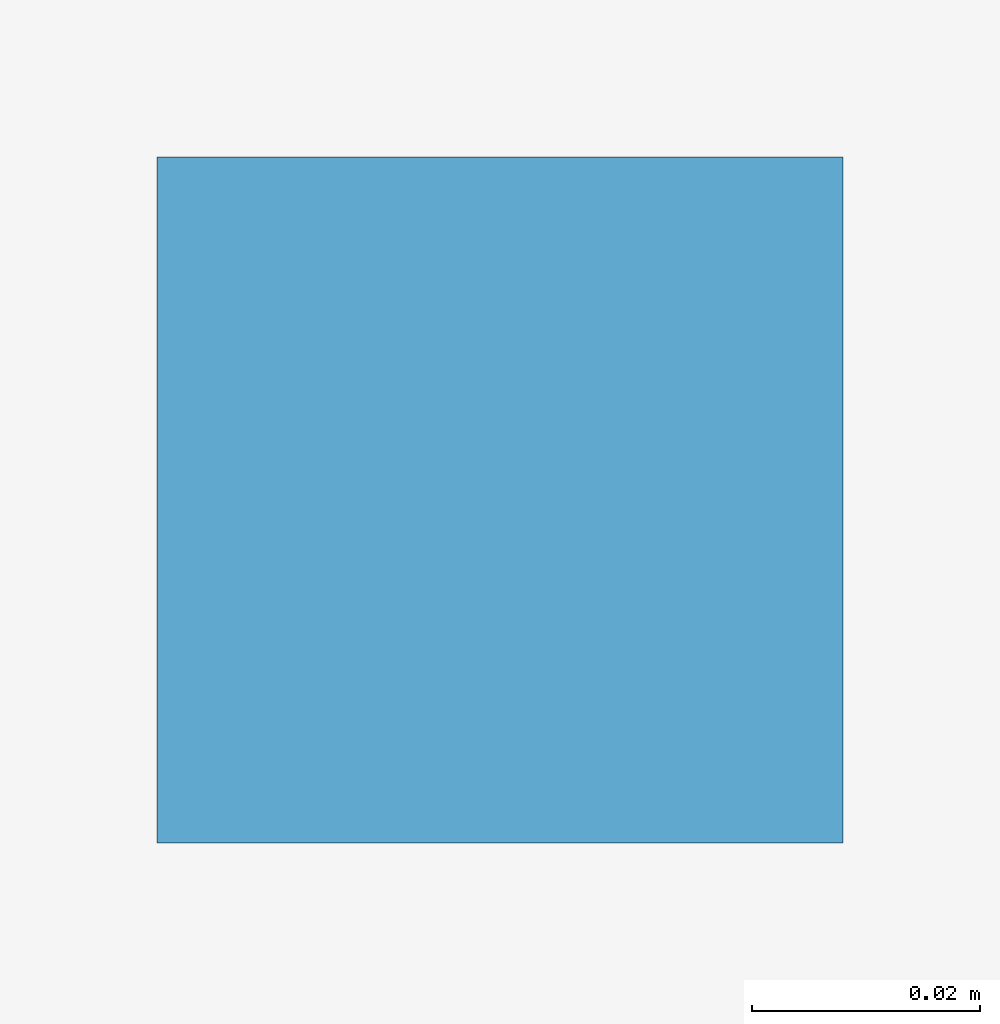
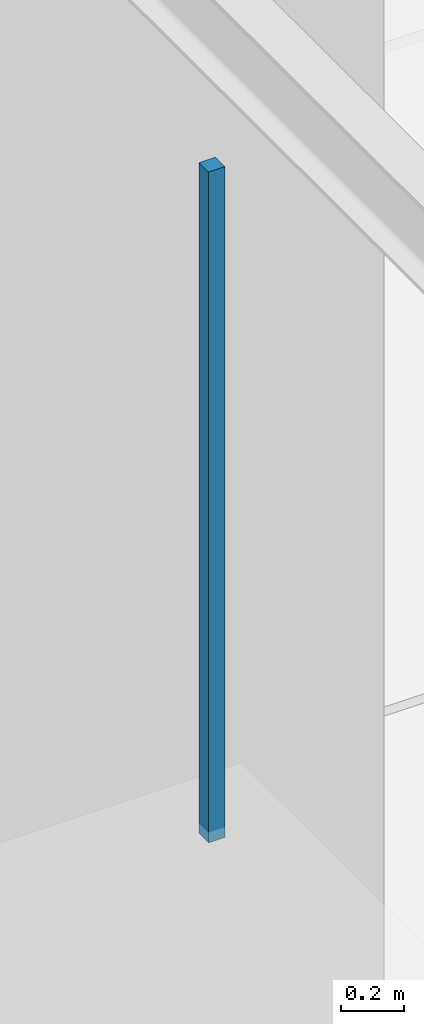
# One storey, part 94 of 129: 1 discrete accessory.
"""IFC4 building model written with IfcOpenShell, lengths in metres."""

from ifc_helpers import new_model, si_unit, direction, frame, origin, origin_2d, place, context, subcontext, project, spatial, rectangle, extrude, material, type_object, element, save


model = new_model("IFC4")

# Units and contexts
model_context = context("Model", 3, precision=1e-05, world=origin(), true_north=direction((0.0, 1.0)))
body_context = subcontext(model_context, "Body", "Model", "MODEL_VIEW")
ifc_project = project(units=[si_unit("LENGTHUNIT", "METRE"), si_unit("AREAUNIT", "SQUARE_METRE"), si_unit("VOLUMEUNIT", "CUBIC_METRE"), si_unit("PLANEANGLEUNIT", "RADIAN"), si_unit("MASSUNIT", "GRAM", prefix="KILO")], contexts=[model_context])

# Site, building, storey
site_placement = place(None, origin())
site = spatial("IfcSite", under=ifc_project, at=site_placement, CompositionType="ELEMENT")
building_placement = place(site_placement, origin())
building = spatial("IfcBuilding", under=site, at=building_placement, Name="Sundkrona Museum", CompositionType="ELEMENT")
storey_placement = place(building_placement, origin())
storey = spatial("IfcBuildingStorey", under=building, at=storey_placement, Name="L00", CompositionType="ELEMENT", Elevation=0.0)

# Discrete accessory
ifc_material = material(Name="Stainless Steel EN 1.4404 Cleat", Category="steel")
discrete_accessory_type = type_object("IfcDiscreteAccessoryType", Name="BRK-FIN-01", PredefinedType="BRACKET", material=ifc_material)
discrete_accessory_placement = place(storey_placement, frame((26.14990234375, 96.14990234375, 2.550048828125), z_axis=(0.0, 0.0, 1.0), x_axis=(1.0, 0.0, 0.0)))
element("IfcDiscreteAccessory", 1, at=discrete_accessory_placement, inside=storey, type_object=discrete_accessory_type, Name="L00 Permanent Visual Arts Gallery Ceiling Hanger 3", PredefinedType="BRACKET", context=body_context, shape_type="SweptSolid", body=[
    extrude(rectangle(XDim=0.06005859375, YDim=0.06005859375, at=origin_2d()), origin(), (0.0, 0.0, 1.0), 2.580078125),
])

save(model, "model.ifc")
